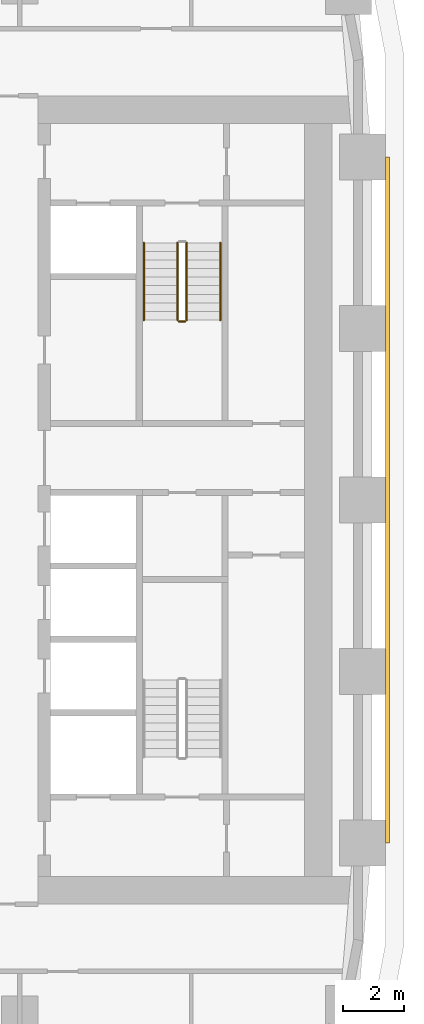
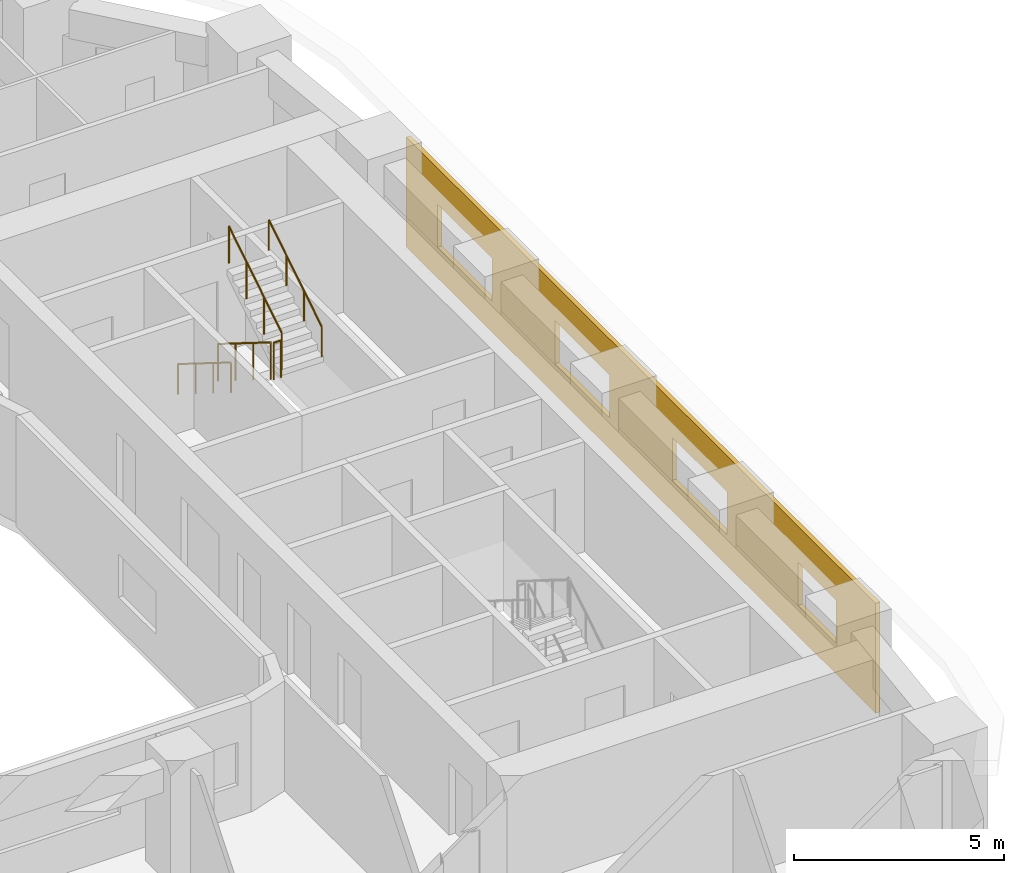
# One storey, part 18 of 21: 5 railings, 1 covering.
"""IFC4 building model written with IfcOpenShell, lengths in metres."""

from ifc_helpers import new_model, si_unit, direction, frame, origin, origin_2d, place, context, subcontext, project, spatial, polyline, circle, outline, extrude, material, layer, layer_set, type_object, element, save


model = new_model("IFC4")

# Units and contexts
model_context = context("Model", 3, precision=1e-05, world=origin(), true_north=direction((0.0, 1.0)))
body_context = subcontext(model_context, "Body", "Model", "MODEL_VIEW")
ifc_project = project(units=[si_unit("LENGTHUNIT", "METRE"), si_unit("AREAUNIT", "SQUARE_METRE"), si_unit("VOLUMEUNIT", "CUBIC_METRE"), si_unit("PLANEANGLEUNIT", "RADIAN"), si_unit("MASSUNIT", "GRAM", prefix="KILO")], contexts=[model_context])

# Site, building, storey
site_placement = place(None, origin())
site = spatial("IfcSite", under=ifc_project, at=site_placement, CompositionType="ELEMENT")
building_placement = place(site_placement, origin())
building = spatial("IfcBuilding", under=site, at=building_placement, Name="Kiln Ring Residences", CompositionType="ELEMENT")
storey_placement = place(building_placement, frame((0.0, 0.0, 34.0)))
storey = spatial("IfcBuildingStorey", under=building, at=storey_placement, Name="L07", CompositionType="ELEMENT", Elevation=34.0)

# Railings
ifc_material_1 = material(Name="Stainless steel", Category="steel")
railing_type_1 = type_object("IfcRailingType", Name="CORE-STAIR-GUARD", PredefinedType="GUARDRAIL", material=ifc_material_1)
railing_1_placement = place(storey_placement, frame((21.949951171875, 8.39990234375, 0.175048828125)))
element("IfcRailing", 1, at=railing_1_placement, inside=storey, type_object=railing_type_1, Name="L07 E-STN stair guard 1", PredefinedType="GUARDRAIL", context=body_context, shape_type="SweptSolid", body=[
    extrude(circle(Radius=0.02392578125, at=origin_2d()), frame((0.0, 0.0, 1.076171875), z_axis=(0.0, -0.848007534815, 0.529984170421), x_axis=(1.0, 0.0, 0.0)), (0.0, 0.0, 1.0), 2.9716796875),
    extrude(circle(Radius=0.02099609375, at=origin_2d()), origin(), (0.0, 0.0, 1.0), 1.052001953125),
    extrude(circle(Radius=0.02099609375, at=origin_2d()), frame((0.0, -0.840087890625, 0.52490234375)), (0.0, 0.0, 1.0), 1.052001953125),
    extrude(circle(Radius=0.02099609375, at=origin_2d()), frame((0.0, -1.679931640625, 1.050048828125)), (0.0, 0.0, 1.0), 1.052001953125),
    extrude(circle(Radius=0.02099609375, at=origin_2d()), frame((0.0, -2.52001953125, 1.574951171875)), (0.0, 0.0, 1.0), 1.052001953125),
])
railing_2_placement = place(storey_placement, frame((22.0, 5.830078125, 1.75)))
element("IfcRailing", 2, at=railing_2_placement, inside=storey, type_object=railing_type_1, Name="L07 E-STN stair guard 2", PredefinedType="GUARDRAIL", context=body_context, shape_type="SweptSolid", body=[
    extrude(circle(Radius=0.02392578125, at=origin_2d()), frame((0.0, 0.0, 1.076171875), z_axis=(1.0, 0.0, 0.0), x_axis=(0.0, 1.0, 0.0)), (0.0, 0.0, 1.0), 0.199951171875),
    extrude(circle(Radius=0.02099609375, at=origin_2d()), origin(), (0.0, 0.0, 1.0), 1.052001953125),
    extrude(circle(Radius=0.02099609375, at=origin_2d()), frame((0.199951171875, 0.0, 0.0)), (0.0, 0.0, 1.0), 1.052001953125),
])
railing_3_placement = place(storey_placement, frame((22.25, 5.8798828125, 1.925048828125)))
element("IfcRailing", 3, at=railing_3_placement, inside=storey, type_object=railing_type_1, Name="L07 E-STN stair guard 3", PredefinedType="GUARDRAIL", context=body_context, shape_type="SweptSolid", body=[
    extrude(circle(Radius=0.02392578125, at=origin_2d()), frame((0.0, 0.0, 1.076171875), z_axis=(0.0, 0.848007534815, 0.529984170421), x_axis=(-1.0, 0.0, 0.0)), (0.0, 0.0, 1.0), 2.9716796875),
    extrude(circle(Radius=0.02099609375, at=origin_2d()), origin(), (0.0, 0.0, 1.0), 1.052001953125),
    extrude(circle(Radius=0.02099609375, at=origin_2d()), frame((0.0, 0.840087890625, 0.52490234375)), (0.0, 0.0, 1.0), 1.052001953125),
    extrude(circle(Radius=0.02099609375, at=origin_2d()), frame((0.0, 1.679931640625, 1.050048828125)), (0.0, 0.0, 1.0), 1.052001953125),
    extrude(circle(Radius=0.02099609375, at=origin_2d()), frame((0.0, 2.52001953125, 1.574951171875)), (0.0, 0.0, 1.0), 1.052001953125),
])
ifc_material_2 = material(Name="Stainless steel", Category="steel")
railing_type_2 = type_object("IfcRailingType", Name="CORE-STAIR-HANDRAIL", PredefinedType="HANDRAIL", material=ifc_material_2)
railing_4_placement = place(storey_placement, frame((20.85009765625, 8.39990234375, 0.175048828125)))
element("IfcRailing", 4, at=railing_4_placement, inside=storey, type_object=railing_type_2, Name="L07 E-STN stair handrail 1", PredefinedType="HANDRAIL", context=body_context, shape_type="SweptSolid", body=[
    extrude(circle(Radius=0.02392578125, at=origin_2d()), frame((0.0, 0.0, 0.8759765625), z_axis=(0.0, -0.848007534815, 0.529984170421), x_axis=(1.0, 0.0, 0.0)), (0.0, 0.0, 1.0), 2.9716796875),
    extrude(circle(Radius=0.02099609375, at=origin_2d()), origin(), (0.0, 0.0, 1.0), 0.851806640625),
    extrude(circle(Radius=0.02099609375, at=origin_2d()), frame((0.0, -0.840087890625, 0.52490234375)), (0.0, 0.0, 1.0), 0.851806640625),
    extrude(circle(Radius=0.02099609375, at=origin_2d()), frame((0.0, -1.679931640625, 1.050048828125)), (0.0, 0.0, 1.0), 0.851806640625),
    extrude(circle(Radius=0.02099609375, at=origin_2d()), frame((0.0, -2.52001953125, 1.574951171875)), (0.0, 0.0, 1.0), 0.851806640625),
])
railing_5_placement = place(storey_placement, frame((23.35009765625, 5.8798828125, 1.925048828125)))
element("IfcRailing", 5, at=railing_5_placement, inside=storey, type_object=railing_type_2, Name="L07 E-STN stair handrail 2", PredefinedType="HANDRAIL", context=body_context, shape_type="SweptSolid", body=[
    extrude(circle(Radius=0.02392578125, at=origin_2d()), frame((0.0, 0.0, 0.8759765625), z_axis=(0.0, 0.848007534815, 0.529984170421), x_axis=(-1.0, 0.0, 0.0)), (0.0, 0.0, 1.0), 2.9716796875),
    extrude(circle(Radius=0.02099609375, at=origin_2d()), origin(), (0.0, 0.0, 1.0), 0.851806640625),
    extrude(circle(Radius=0.02099609375, at=origin_2d()), frame((0.0, 0.840087890625, 0.52490234375)), (0.0, 0.0, 1.0), 0.851806640625),
    extrude(circle(Radius=0.02099609375, at=origin_2d()), frame((0.0, 1.679931640625, 1.050048828125)), (0.0, 0.0, 1.0), 0.851806640625),
    extrude(circle(Radius=0.02099609375, at=origin_2d()), frame((0.0, 2.52001953125, 1.574951171875)), (0.0, 0.0, 1.0), 0.851806640625),
])

# Covering
ifc_material_3 = material(Name="Brick masonry, dark clay brick", Category="masonry")
ifc_layer = layer(ifc_material_3, 0.1201171875)
ifc_layer_set = layer_set([ifc_layer], Name="RAINSCREEN PANEL 120")
covering_type = type_object("IfcCoveringType", Name="RAINSCREEN PANEL 120", PredefinedType="CLADDING", material=ifc_layer_set)
covering_placement = place(storey_placement, frame((28.81005859375, -11.199951171875, 0.0), z_axis=(0.0, 0.0, 1.0), x_axis=(0.0, 1.0, 0.0)))
element("IfcCovering", 6, at=covering_placement, inside=storey, type_object=covering_type, Name="RAINSCREEN L07", PredefinedType="CLADDING", context=body_context, shape_type="SweptSolid", body=[
    extrude(outline(polyline([(0.0, 0.0), (22.39990234375, 0.0), (22.39990234375, 3.199951171875), (0.0, 3.199951171875), (0.0, 0.0)]), holes=[polyline([(3.699951171875, 0.89990234375), (3.699951171875, 2.14990234375), (1.89990234375, 2.14990234375), (1.89990234375, 0.89990234375), (3.699951171875, 0.89990234375)]), polyline([(9.699951171875, 0.89990234375), (9.699951171875, 2.14990234375), (7.10009765625, 2.14990234375), (7.10009765625, 0.89990234375), (9.699951171875, 0.89990234375)]), polyline([(15.300048828125, 0.89990234375), (15.300048828125, 2.14990234375), (12.699951171875, 2.14990234375), (12.699951171875, 0.89990234375), (15.300048828125, 0.89990234375)]), polyline([(20.89990234375, 0.89990234375), (20.89990234375, 2.14990234375), (18.300048828125, 2.14990234375), (18.300048828125, 0.89990234375), (20.89990234375, 0.89990234375)])]), frame((0.0, 0.06005859375, 0.0), z_axis=(0.0, -1.0, 0.0), x_axis=(1.0, 0.0, 0.0)), (0.0, 0.0, 1.0), 0.1201171875),
])

save(model, "model.ifc")
